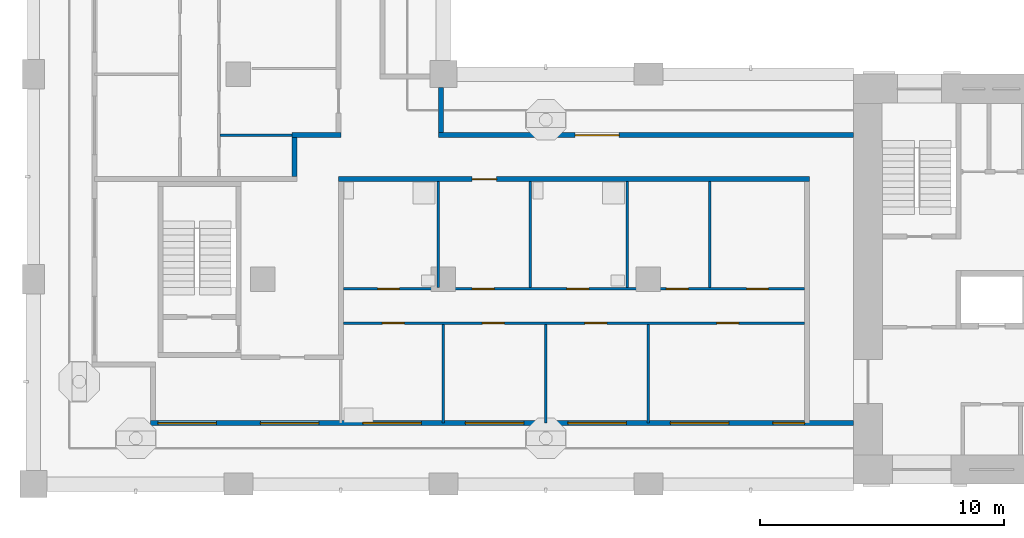
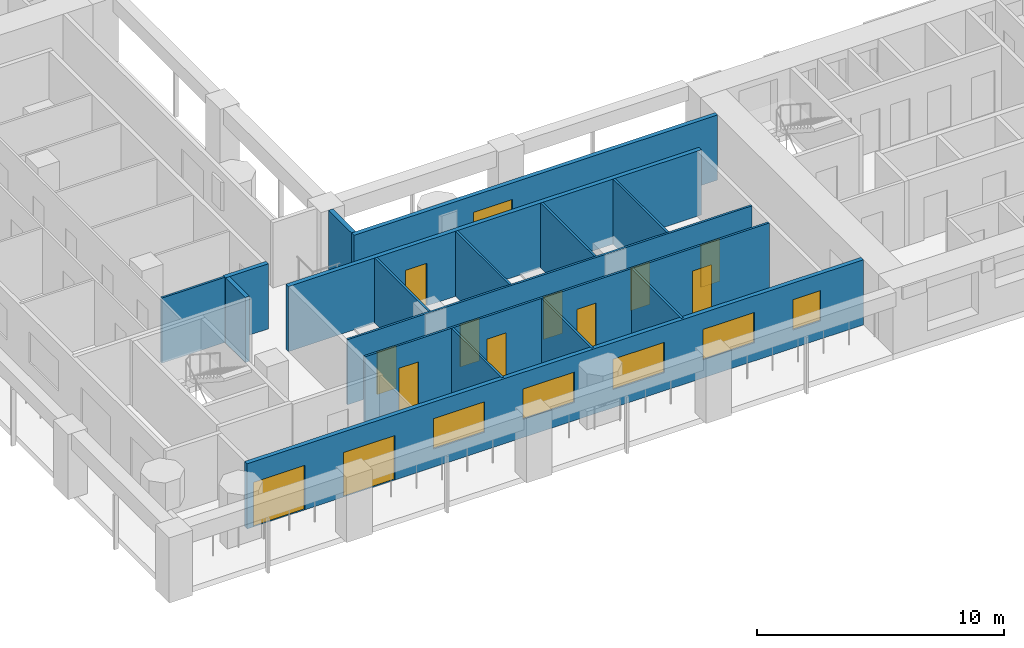
# One storey, part 2 of 13: 16 walls, 13 doors, 5 windows, 18 openings.
"""IFC4 building model written with IfcOpenShell, lengths in metres."""

import ifcopenshell
import ifcopenshell.guid

model = None  # the IFC model being written
_history = None  # IfcOwnerHistory: only IFC2X3 demands one
_inside = {}  # id of a spatial element -> (the spatial element, [elements in it])
_under = {}  # id of a project, library or spatial element -> (it, [spatial elements below it])
_declared = {}  # id of a project -> (the project, [libraries it declares])
_typed = {}  # id of a type object -> (the type object, [elements of that type])
_made_of = {}  # id of a material, layer set ... -> (it, [elements and type objects made of it])


def new_model(schema):
    """Start an empty IFC model of exactly this schema.

    Asked for "IFC4X3", IfcOpenShell would pick the latest addendum, in which some entities
    have other attributes; the version numbers below select the first issue.
    IFC2X3 requires an IfcOwnerHistory on every rooted entity: one is made here for all.
    """
    global model, _history
    if schema == "IFC4X3":
        model = ifcopenshell.file(schema_version=(4, 3, 0, 0))
    else:
        model = ifcopenshell.file(schema=schema)
    _inside.clear()
    _under.clear()
    _declared.clear()
    _typed.clear()
    _made_of.clear()
    _history = None
    if model.schema == "IFC2X3":
        org = make("IfcOrganization", Name="unknown")
        user = make(
            "IfcPersonAndOrganization",
            ThePerson=make("IfcPerson", FamilyName="unknown"),
            TheOrganization=org,
        )
        app = make(
            "IfcApplication",
            ApplicationDeveloper=org,
            Version="unknown",
            ApplicationFullName="unknown",
            ApplicationIdentifier="unknown",
        )
        _history = make(
            "IfcOwnerHistory",
            OwningUser=user,
            OwningApplication=app,
            ChangeAction="ADDED",
            CreationDate=0,
        )
    return model


def make(cls, **values):
    """One entity of the class cls with the attributes given. An attribute that is None is left unset."""
    return model.create_entity(
        cls, **{name: value for name, value in values.items() if value is not None}
    )


def rooted(cls, **values):
    """An entity with a GlobalId (a new one), such as an element, a storey or a relation."""
    return make(cls, GlobalId=ifcopenshell.guid.new(), OwnerHistory=_history, **values)


def si_unit(unit_type, name, prefix=None):
    """IfcSIUnit, for example si_unit("LENGTHUNIT", "METRE", prefix="MILLI")."""
    return make("IfcSIUnit", UnitType=unit_type, Prefix=prefix, Name=name)


def assignment(units):
    """IfcUnitAssignment: the units of a project."""
    return None if units is None else make("IfcUnitAssignment", Units=units)


def point(xyz):
    """IfcCartesianPoint."""
    return None if xyz is None else make("IfcCartesianPoint", Coordinates=xyz)


def direction(xyz):
    """IfcDirection."""
    return None if xyz is None else make("IfcDirection", DirectionRatios=xyz)


def frame(location, z_axis=None, x_axis=None):
    """IfcAxis2Placement3D, a coordinate frame: its origin and axes. An axis left out is left unset."""
    return make(
        "IfcAxis2Placement3D",
        Location=point(location),
        Axis=direction(z_axis),
        RefDirection=direction(x_axis),
    )


def frame_2d(location, x_axis=None):
    """IfcAxis2Placement2D, a coordinate frame in the plane: its origin and x axis."""
    return make(
        "IfcAxis2Placement2D", Location=point(location), RefDirection=direction(x_axis)
    )


def origin():
    """The frame at (0, 0, 0) with its axes left unset."""
    return frame((0.0, 0.0, 0.0))


def place(relative_to, where):
    """IfcLocalPlacement: puts the frame where relative to a parent placement (None: the world)."""
    return make(
        "IfcLocalPlacement", PlacementRelTo=relative_to, RelativePlacement=where
    )


def context(
    kind, dimensions, precision=None, world=None, true_north=None, identifier=None
):
    """IfcGeometricRepresentationContext, for example the 3D "Model" context."""
    return make(
        "IfcGeometricRepresentationContext",
        ContextIdentifier=identifier,
        ContextType=kind,
        CoordinateSpaceDimension=dimensions,
        Precision=precision,
        WorldCoordinateSystem=world,
        TrueNorth=true_north,
    )


def subcontext(parent, identifier, kind, view, scale=None):
    """IfcGeometricRepresentationSubContext, for example "Body" below "Model"."""
    return make(
        "IfcGeometricRepresentationSubContext",
        ContextIdentifier=identifier,
        ContextType=kind,
        ParentContext=parent,
        TargetScale=scale,
        TargetView=view,
    )


def project(units=None, contexts=None):
    """IfcProject with its units and contexts."""
    return rooted(
        "IfcProject",
        Name="project",
        RepresentationContexts=contexts,
        UnitsInContext=assignment(units),
    )


def spatial(cls, under=None, at=None, **own):
    """A site, building, storey or space (cls), placed at a placement, below another one or the project."""
    s = rooted(cls, ObjectPlacement=at, **own)
    if under is not None:
        _under.setdefault(under.id(), (under, []))[1].append(s)
    return s


def profile(cls, at=None, kind="AREA", **sizes):
    """A parametric profile (cls). Its sizes go by their IFC names, for example OverallWidth=200.0."""
    return make(cls, ProfileType=kind, Position=at, **sizes)


def rectangle(**sizes):
    """IfcRectangleProfileDef."""
    return profile("IfcRectangleProfileDef", **sizes)


def extrude(swept, where, along, depth):
    """IfcExtrudedAreaSolid: the profile swept, set in the frame where, extruded along a direction by depth."""
    return make(
        "IfcExtrudedAreaSolid",
        SweptArea=swept,
        Position=where,
        ExtrudedDirection=direction(along),
        Depth=depth,
    )


def shape(context_of_items, identifier, shape_type, items):
    """IfcShapeRepresentation: the items that make up one representation, for example the "Body"."""
    return make(
        "IfcShapeRepresentation",
        ContextOfItems=context_of_items,
        RepresentationIdentifier=identifier,
        RepresentationType=shape_type,
        Items=items,
    )


def material(Name=None, Category=None):
    """IfcMaterial."""
    return make("IfcMaterial", Name=Name, Category=Category)


def layer(
    of_material, thickness, ventilated=None, Name=None, Category=None, Priority=None
):
    """IfcMaterialLayer: one layer of a wall or slab, of a material (None: an air gap)."""
    return make(
        "IfcMaterialLayer",
        Material=of_material,
        LayerThickness=thickness,
        IsVentilated=ventilated,
        Name=Name,
        Category=Category,
        Priority=Priority,
    )


def layer_set(layers, Name=None):
    """IfcMaterialLayerSet."""
    return make("IfcMaterialLayerSet", MaterialLayers=layers, LayerSetName=Name)


def made_of(thing, what):
    """Note that an element or type object is made of a material, layer set ...; save() writes the relation."""
    if what is not None:
        _made_of.setdefault(what.id(), (what, []))[1].append(thing)
    return thing


def type_object(cls, material=None, **own):
    """A type object (cls), such as IfcWallType, which elements share."""
    return made_of(rooted(cls, **own), material)


def element(
    cls,
    number,
    at=None,
    inside=None,
    cuts=None,
    type_object=None,
    material=None,
    context=None,
    identifier="Body",
    shape_type=None,
    held_by="IfcProductDefinitionShape",
    body=None,
    shapes=None,
    **own,
):
    """One element of the class cls, such as IfcWall. Its Tag is "e" and its number.

    at: its placement. inside: the storey or other place that contains it. cuts: it is an
    opening in that element (IfcRelVoidsElement). A single representation is given by context,
    identifier, shape_type and body (its items); several are given by shapes. held_by: the class
    of the entity that holds the representations. save() writes the other relations.
    """
    e = rooted(cls, Tag="e%d" % number, ObjectPlacement=at, **own)
    if body is not None:
        shapes = [shape(context, identifier, shape_type, body)]
    if shapes is not None:
        e.Representation = make(held_by, Representations=shapes)
    if inside is not None:
        _inside.setdefault(inside.id(), (inside, []))[1].append(e)
    if cuts is not None:
        rooted(
            "IfcRelVoidsElement", RelatingBuildingElement=cuts, RelatedOpeningElement=e
        )
    if type_object is not None:
        _typed.setdefault(type_object.id(), (type_object, []))[1].append(e)
    return made_of(e, material)


def fill(opening, filler):
    """IfcRelFillsElement: the door or window that sits in an opening."""
    return rooted(
        "IfcRelFillsElement",
        RelatingOpeningElement=opening,
        RelatedBuildingElement=filler,
    )


def aggregate(whole, parts):
    """IfcRelAggregates: a whole, such as a stair, and the parts it consists of."""
    return rooted("IfcRelAggregates", RelatingObject=whole, RelatedObjects=parts)


def save(model, path):
    """Write the relations noted so far, then the file.

    IfcRelAggregates (storeys below a building ...), IfcRelContainedInSpatialStructure (elements
    in a storey), IfcRelDefinesByType, IfcRelAssociatesMaterial and IfcRelDeclares: one each for
    every whole, place, type object, material and project.
    """
    for whole, parts in _under.values():
        aggregate(whole, parts)
    for where, things in _inside.values():
        rooted(
            "IfcRelContainedInSpatialStructure",
            RelatedElements=things,
            RelatingStructure=where,
        )
    for kind, things in _typed.values():
        rooted("IfcRelDefinesByType", RelatedObjects=things, RelatingType=kind)
    for what, things in _made_of.values():
        rooted("IfcRelAssociatesMaterial", RelatedObjects=things, RelatingMaterial=what)
    for by, libraries in _declared.values():
        rooted("IfcRelDeclares", RelatingContext=by, RelatedDefinitions=libraries)
    model.write(path)


model = new_model("IFC4")

# Units and contexts
model_context = context("Model", 3, precision=1e-05, world=origin(), true_north=direction((0.0, 1.0)))
body_context = subcontext(model_context, "Body", "Model", "MODEL_VIEW")
ifc_project = project(units=[si_unit("LENGTHUNIT", "METRE"), si_unit("AREAUNIT", "SQUARE_METRE"), si_unit("VOLUMEUNIT", "CUBIC_METRE"), si_unit("PLANEANGLEUNIT", "RADIAN"), si_unit("MASSUNIT", "GRAM", prefix="KILO")], contexts=[model_context])

# Site, building, storey
site_placement = place(None, origin())
site = spatial("IfcSite", under=ifc_project, at=site_placement, CompositionType="ELEMENT")
building_placement = place(site_placement, origin())
building = spatial("IfcBuilding", under=site, at=building_placement, Name="Vermilion Gate Residences", CompositionType="ELEMENT")
storey_placement = place(building_placement, frame((0.0, 0.0, 165.199951171875)))
storey = spatial("IfcBuildingStorey", under=building, at=storey_placement, Name="L42", CompositionType="ELEMENT", Elevation=165.199951171875)

# Wall, openings, doors, windows
ifc_material_1 = material(Name="Insulated steel stud wall with terracotta rainscreen", Category="masonry")
ifc_layer_1 = layer(ifc_material_1, 0.199951171875)
ifc_layer_set_1 = layer_set([ifc_layer_1], Name="EXTERNAL WALL 200 TERRACOTTA RAINSCREEN")
wall_type_1 = type_object("IfcWallType", Name="EXTERNAL WALL 200 TERRACOTTA RAINSCREEN", PredefinedType="SOLIDWALL", material=ifc_layer_set_1)
wall_1_placement = place(storey_placement, frame((13.199951171875, 10.89990234375, 0.0), z_axis=(0.0, 0.0, 1.0), x_axis=(1.0, 0.0, 0.0)))
wall_1 = element("IfcWall", 1, at=wall_1_placement, inside=storey, type_object=wall_type_1, Name="External wall", PredefinedType="SOLIDWALL", context=body_context, shape_type="SweptSolid", body=[
    extrude(rectangle(XDim=28.800048828125, YDim=0.199951171875, at=frame_2d((14.39990234375, 0.0))), origin(), (0.0, 0.0, 1.0), 3.219970703125),
])
opening_1_placement = place(wall_1_placement, frame((0.300048828125, 0.0, 0.0)))
opening_1 = element("IfcOpeningElement", 2, at=opening_1_placement, cuts=wall_1, Name="Opening DE42008", PredefinedType="OPENING", context=body_context, shape_type="SweptSolid", body=[
    extrude(rectangle(XDim=2.39990234375, YDim=2.199951171875, at=frame_2d((1.199951171875, 1.10009765625))), frame((0.0, 0.10986328125, 0.0), z_axis=(0.0, -1.0, 0.0), x_axis=(1.0, 0.0, 0.0)), (0.0, 0.0, 1.0), 0.219970703125),
])
opening_2_placement = place(wall_1_placement, frame((4.5, 0.0, 0.0)))
opening_2 = element("IfcOpeningElement", 3, at=opening_2_placement, cuts=wall_1, Name="Opening DE42009", PredefinedType="OPENING", context=body_context, shape_type="SweptSolid", body=[
    extrude(rectangle(XDim=2.39990234375, YDim=2.199951171875, at=frame_2d((1.199951171875, 1.10009765625))), frame((0.0, 0.10986328125, 0.0), z_axis=(0.0, -1.0, 0.0), x_axis=(1.0, 0.0, 0.0)), (0.0, 0.0, 1.0), 0.219970703125),
])
opening_3_placement = place(wall_1_placement, frame((8.699951171875, 0.0, 0.89990234375)))
opening_3 = element("IfcOpeningElement", 4, at=opening_3_placement, cuts=wall_1, Name="Opening WE42010", PredefinedType="OPENING", context=body_context, shape_type="SweptSolid", body=[
    extrude(rectangle(XDim=2.39990234375, YDim=1.5, at=frame_2d((1.199951171875, 0.75))), frame((0.0, 0.10986328125, 0.0), z_axis=(0.0, -1.0, 0.0), x_axis=(1.0, 0.0, 0.0)), (0.0, 0.0, 1.0), 0.219970703125),
])
opening_4_placement = place(wall_1_placement, frame((12.89990234375, 0.0, 0.89990234375)))
opening_4 = element("IfcOpeningElement", 5, at=opening_4_placement, cuts=wall_1, Name="Opening WE42011", PredefinedType="OPENING", context=body_context, shape_type="SweptSolid", body=[
    extrude(rectangle(XDim=2.39990234375, YDim=1.5, at=frame_2d((1.199951171875, 0.75))), frame((0.0, 0.10986328125, 0.0), z_axis=(0.0, -1.0, 0.0), x_axis=(1.0, 0.0, 0.0)), (0.0, 0.0, 1.0), 0.219970703125),
])
opening_5_placement = place(wall_1_placement, frame((17.10009765625, 0.0, 0.89990234375)))
opening_5 = element("IfcOpeningElement", 6, at=opening_5_placement, cuts=wall_1, Name="Opening WE42012", PredefinedType="OPENING", context=body_context, shape_type="SweptSolid", body=[
    extrude(rectangle(XDim=2.39990234375, YDim=1.5, at=frame_2d((1.199951171875, 0.75))), frame((0.0, 0.10986328125, 0.0), z_axis=(0.0, -1.0, 0.0), x_axis=(1.0, 0.0, 0.0)), (0.0, 0.0, 1.0), 0.219970703125),
])
opening_6_placement = place(wall_1_placement, frame((21.300048828125, 0.0, 0.89990234375)))
opening_6 = element("IfcOpeningElement", 7, at=opening_6_placement, cuts=wall_1, Name="Opening WE42013", PredefinedType="OPENING", context=body_context, shape_type="SweptSolid", body=[
    extrude(rectangle(XDim=2.39990234375, YDim=1.5, at=frame_2d((1.199951171875, 0.75))), frame((0.0, 0.10986328125, 0.0), z_axis=(0.0, -1.0, 0.0), x_axis=(1.0, 0.0, 0.0)), (0.0, 0.0, 1.0), 0.219970703125),
])
opening_7_placement = place(wall_1_placement, frame((25.5, 0.0, 0.89990234375)))
opening_7 = element("IfcOpeningElement", 8, at=opening_7_placement, cuts=wall_1, Name="Opening WE42014", PredefinedType="OPENING", context=body_context, shape_type="SweptSolid", body=[
    extrude(rectangle(XDim=1.300048828125, YDim=1.5, at=frame_2d((0.64990234375, 0.75))), frame((0.0, 0.10986328125, 0.0), z_axis=(0.0, -1.0, 0.0), x_axis=(1.0, 0.0, 0.0)), (0.0, 0.0, 1.0), 0.219970703125),
])
ifc_material_2 = material(Name="Aluminium and clear glass", Category="aluminium")
door_type_1 = type_object("IfcDoorType", Name="SLIDING GLAZED DOOR 2400 X 2200", OperationType="DOUBLE_DOOR_SLIDING", PredefinedType="DOOR", material=ifc_material_2)
door_1_placement = place(opening_1_placement, origin())
door_1 = element("IfcDoor", 9, at=door_1_placement, inside=storey, type_object=door_type_1, Name="Loggia sliding door", OperationType="DOUBLE_DOOR_SLIDING", OverallHeight=2.199951171875, OverallWidth=2.39990234375, PredefinedType="DOOR", context=body_context, shape_type="SweptSolid", body=[
    extrude(rectangle(XDim=2.39990234375, YDim=2.199951171875, at=frame_2d((1.199951171875, 1.10009765625))), frame((0.0, 0.02490234375, 0.0), z_axis=(0.0, -1.0, 0.0), x_axis=(1.0, 0.0, 0.0)), (0.0, 0.0, 1.0), 0.050048828125),
])
fill(opening_1, door_1)
door_2_placement = place(opening_2_placement, origin())
door_2 = element("IfcDoor", 10, at=door_2_placement, inside=storey, type_object=door_type_1, Name="Loggia sliding door", OperationType="DOUBLE_DOOR_SLIDING", OverallHeight=2.199951171875, OverallWidth=2.39990234375, PredefinedType="DOOR", context=body_context, shape_type="SweptSolid", body=[
    extrude(rectangle(XDim=2.39990234375, YDim=2.199951171875, at=frame_2d((1.199951171875, 1.10009765625))), frame((0.0, 0.02490234375, 0.0), z_axis=(0.0, -1.0, 0.0), x_axis=(1.0, 0.0, 0.0)), (0.0, 0.0, 1.0), 0.050048828125),
])
fill(opening_2, door_2)
ifc_material_3 = material(Name="Aluminium and clear glass", Category="aluminium")
window_type_1 = type_object("IfcWindowType", Name="WINDOW 1300 X 1500", PartitioningType="SINGLE_PANEL", PredefinedType="WINDOW", material=ifc_material_3)
window_1_placement = place(opening_7_placement, origin())
window_1 = element("IfcWindow", 11, at=window_1_placement, inside=storey, type_object=window_type_1, Name="Window", OverallHeight=1.5, OverallWidth=1.300048828125, PartitioningType="SINGLE_PANEL", PredefinedType="WINDOW", context=body_context, shape_type="SweptSolid", body=[
    extrude(rectangle(XDim=1.300048828125, YDim=1.5, at=frame_2d((0.64990234375, 0.75))), frame((0.0, 0.030029296875, 0.0), z_axis=(0.0, -1.0, 0.0), x_axis=(1.0, 0.0, 0.0)), (0.0, 0.0, 1.0), 0.06005859375),
])
fill(opening_7, window_1)
ifc_material_4 = material(Name="Aluminium and clear glass", Category="aluminium")
window_type_2 = type_object("IfcWindowType", Name="WINDOW 2400 X 1500", PartitioningType="SINGLE_PANEL", PredefinedType="WINDOW", material=ifc_material_4)
window_2_placement = place(opening_3_placement, origin())
window_2 = element("IfcWindow", 12, at=window_2_placement, inside=storey, type_object=window_type_2, Name="Window", OverallHeight=1.5, OverallWidth=2.39990234375, PartitioningType="SINGLE_PANEL", PredefinedType="WINDOW", context=body_context, shape_type="SweptSolid", body=[
    extrude(rectangle(XDim=2.39990234375, YDim=1.5, at=frame_2d((1.199951171875, 0.75))), frame((0.0, 0.030029296875, 0.0), z_axis=(0.0, -1.0, 0.0), x_axis=(1.0, 0.0, 0.0)), (0.0, 0.0, 1.0), 0.06005859375),
])
fill(opening_3, window_2)
window_3_placement = place(opening_4_placement, origin())
window_3 = element("IfcWindow", 13, at=window_3_placement, inside=storey, type_object=window_type_2, Name="Window", OverallHeight=1.5, OverallWidth=2.39990234375, PartitioningType="SINGLE_PANEL", PredefinedType="WINDOW", context=body_context, shape_type="SweptSolid", body=[
    extrude(rectangle(XDim=2.39990234375, YDim=1.5, at=frame_2d((1.199951171875, 0.75))), frame((0.0, 0.030029296875, 0.0), z_axis=(0.0, -1.0, 0.0), x_axis=(1.0, 0.0, 0.0)), (0.0, 0.0, 1.0), 0.06005859375),
])
fill(opening_4, window_3)
window_4_placement = place(opening_5_placement, origin())
window_4 = element("IfcWindow", 14, at=window_4_placement, inside=storey, type_object=window_type_2, Name="Window", OverallHeight=1.5, OverallWidth=2.39990234375, PartitioningType="SINGLE_PANEL", PredefinedType="WINDOW", context=body_context, shape_type="SweptSolid", body=[
    extrude(rectangle(XDim=2.39990234375, YDim=1.5, at=frame_2d((1.199951171875, 0.75))), frame((0.0, 0.030029296875, 0.0), z_axis=(0.0, -1.0, 0.0), x_axis=(1.0, 0.0, 0.0)), (0.0, 0.0, 1.0), 0.06005859375),
])
fill(opening_5, window_4)
window_5_placement = place(opening_6_placement, origin())
window_5 = element("IfcWindow", 15, at=window_5_placement, inside=storey, type_object=window_type_2, Name="Window", OverallHeight=1.5, OverallWidth=2.39990234375, PartitioningType="SINGLE_PANEL", PredefinedType="WINDOW", context=body_context, shape_type="SweptSolid", body=[
    extrude(rectangle(XDim=2.39990234375, YDim=1.5, at=frame_2d((1.199951171875, 0.75))), frame((0.0, 0.030029296875, 0.0), z_axis=(0.0, -1.0, 0.0), x_axis=(1.0, 0.0, 0.0)), (0.0, 0.0, 1.0), 0.06005859375),
])
fill(opening_6, window_5)

# Wall, opening, door
wall_2_placement = place(storey_placement, frame((42.0, 22.699951171875, 0.0), z_axis=(0.0, 0.0, 1.0), x_axis=(-1.0, 0.0, 0.0)))
wall_2 = element("IfcWall", 16, at=wall_2_placement, inside=storey, type_object=wall_type_1, Name="External wall", PredefinedType="SOLIDWALL", context=body_context, shape_type="SweptSolid", body=[
    extrude(rectangle(XDim=17.0, YDim=0.199951171875, at=frame_2d((8.5, 0.0))), origin(), (0.0, 0.0, 1.0), 3.219970703125),
])
opening_8_placement = place(wall_2_placement, frame((9.60009765625, 0.0, 0.0)))
opening_8 = element("IfcOpeningElement", 17, at=opening_8_placement, cuts=wall_2, Name="Opening DE42020", PredefinedType="OPENING", context=body_context, shape_type="SweptSolid", body=[
    extrude(rectangle(XDim=1.800048828125, YDim=2.39990234375, at=frame_2d((0.89990234375, 1.199951171875))), frame((0.0, 0.10986328125, 0.0), z_axis=(0.0, -1.0, 0.0), x_axis=(1.0, 0.0, 0.0)), (0.0, 0.0, 1.0), 0.219970703125),
])
ifc_material_5 = material(Name="Aluminium and clear glass", Category="aluminium")
door_type_2 = type_object("IfcDoorType", Name="GLAZED EXTERNAL DOOR 1800 X 2400", OperationType="DOUBLE_DOOR_SINGLE_SWING", PredefinedType="DOOR", material=ifc_material_5)
door_3_placement = place(opening_8_placement, frame((1.800048828125, 0.0, 0.0), z_axis=(0.0, 0.0, 1.0), x_axis=(-1.0, 0.0, 0.0)))
door_3 = element("IfcDoor", 18, at=door_3_placement, inside=storey, type_object=door_type_2, Name="Gallery door", OperationType="DOUBLE_DOOR_SINGLE_SWING", OverallHeight=2.39990234375, OverallWidth=1.800048828125, PredefinedType="DOOR", context=body_context, shape_type="SweptSolid", body=[
    extrude(rectangle(XDim=1.800048828125, YDim=2.39990234375, at=frame_2d((0.89990234375, 1.199951171875))), frame((0.0, 0.02490234375, 0.0), z_axis=(0.0, -1.0, 0.0), x_axis=(1.0, 0.0, 0.0)), (0.0, 0.0, 1.0), 0.050048828125),
])
fill(opening_8, door_3)

# Wall
wall_3_placement = place(storey_placement, frame((25.10009765625, 22.800048828125, 0.0), z_axis=(0.0, 0.0, 1.0), x_axis=(0.0, 1.0, 0.0)))
element("IfcWall", 19, at=wall_3_placement, inside=storey, type_object=wall_type_1, Name="External wall", PredefinedType="SOLIDWALL", context=body_context, shape_type="SweptSolid", body=[
    extrude(rectangle(XDim=1.849853515625, YDim=0.199951171875, at=frame_2d((0.9248046875, 0.0))), origin(), (0.0, 0.0, 1.0), 3.219970703125),
])

# Wall, openings, doors
ifc_material_6 = material(Name="Plasterboard on steel studs", Category="steel")
ifc_layer_2 = layer(ifc_material_6, 0.10009765625)
ifc_layer_set_2 = layer_set([ifc_layer_2], Name="PARTITION 100")
wall_type_2 = type_object("IfcWallType", Name="PARTITION 100", PredefinedType="PARTITIONING", material=ifc_layer_set_2)
wall_4_placement = place(storey_placement, frame((21.10009765625, 15.0, 0.0), z_axis=(0.0, 0.0, 1.0), x_axis=(1.0, 0.0, 0.0)))
wall_4 = element("IfcWall", 20, at=wall_4_placement, inside=storey, type_object=wall_type_2, Name="Partition", PredefinedType="PARTITIONING", context=body_context, shape_type="SweptSolid", body=[
    extrude(rectangle(XDim=18.89990234375, YDim=0.10009765625, at=frame_2d((9.449951171875, 0.0))), origin(), (0.0, 0.0, 1.0), 3.219970703125),
])
opening_9_placement = place(wall_4_placement, frame((1.60009765625, 0.0, 0.0)))
opening_9 = element("IfcOpeningElement", 21, at=opening_9_placement, cuts=wall_4, Name="Opening DA40002", PredefinedType="OPENING", context=body_context, shape_type="SweptSolid", body=[
    extrude(rectangle(XDim=0.89990234375, YDim=2.10009765625, at=frame_2d((0.449951171875, 1.050048828125))), frame((0.0, 0.06005859375, 0.0), z_axis=(0.0, -1.0, 0.0), x_axis=(1.0, 0.0, 0.0)), (0.0, 0.0, 1.0), 0.1201171875),
])
opening_10_placement = place(wall_4_placement, frame((5.699951171875, 0.0, 0.0)))
opening_10 = element("IfcOpeningElement", 22, at=opening_10_placement, cuts=wall_4, Name="Opening DA40003", PredefinedType="OPENING", context=body_context, shape_type="SweptSolid", body=[
    extrude(rectangle(XDim=0.89990234375, YDim=2.10009765625, at=frame_2d((0.449951171875, 1.050048828125))), frame((0.0, 0.06005859375, 0.0), z_axis=(0.0, -1.0, 0.0), x_axis=(1.0, 0.0, 0.0)), (0.0, 0.0, 1.0), 0.1201171875),
])
opening_11_placement = place(wall_4_placement, frame((9.89990234375, 0.0, 0.0)))
opening_11 = element("IfcOpeningElement", 23, at=opening_11_placement, cuts=wall_4, Name="Opening DA40004", PredefinedType="OPENING", context=body_context, shape_type="SweptSolid", body=[
    extrude(rectangle(XDim=0.89990234375, YDim=2.10009765625, at=frame_2d((0.449951171875, 1.050048828125))), frame((0.0, 0.06005859375, 0.0), z_axis=(0.0, -1.0, 0.0), x_axis=(1.0, 0.0, 0.0)), (0.0, 0.0, 1.0), 0.1201171875),
])
opening_12_placement = place(wall_4_placement, frame((15.300048828125, 0.0, 0.0)))
opening_12 = element("IfcOpeningElement", 24, at=opening_12_placement, cuts=wall_4, Name="Opening DA40005", PredefinedType="OPENING", context=body_context, shape_type="SweptSolid", body=[
    extrude(rectangle(XDim=0.89990234375, YDim=2.10009765625, at=frame_2d((0.449951171875, 1.050048828125))), frame((0.0, 0.06005859375, 0.0), z_axis=(0.0, -1.0, 0.0), x_axis=(1.0, 0.0, 0.0)), (0.0, 0.0, 1.0), 0.1201171875),
])
ifc_material_7 = material(Name="Timber", Category="wood")
door_type_3 = type_object("IfcDoorType", Name="INTERIOR DOOR 900 X 2100", OperationType="SINGLE_SWING_LEFT", PredefinedType="DOOR", material=ifc_material_7)
door_4_placement = place(opening_9_placement, frame((0.89990234375, 0.0, 0.0), z_axis=(0.0, 0.0, 1.0), x_axis=(-1.0, 0.0, 0.0)))
door_4 = element("IfcDoor", 25, at=door_4_placement, inside=storey, type_object=door_type_3, Name="Interior door", OperationType="SINGLE_SWING_LEFT", OverallHeight=2.10009765625, OverallWidth=0.89990234375, PredefinedType="DOOR", context=body_context, shape_type="SweptSolid", body=[
    extrude(rectangle(XDim=0.89990234375, YDim=2.10009765625, at=frame_2d((0.449951171875, 1.050048828125))), frame((0.0, 0.02490234375, 0.0), z_axis=(0.0, -1.0, 0.0), x_axis=(1.0, 0.0, 0.0)), (0.0, 0.0, 1.0), 0.050048828125),
])
fill(opening_9, door_4)
door_5_placement = place(opening_10_placement, frame((0.89990234375, 0.0, 0.0), z_axis=(0.0, 0.0, 1.0), x_axis=(-1.0, 0.0, 0.0)))
door_5 = element("IfcDoor", 26, at=door_5_placement, inside=storey, type_object=door_type_3, Name="Interior door", OperationType="SINGLE_SWING_RIGHT", OverallHeight=2.10009765625, OverallWidth=0.89990234375, PredefinedType="DOOR", context=body_context, shape_type="SweptSolid", body=[
    extrude(rectangle(XDim=0.89990234375, YDim=2.10009765625, at=frame_2d((0.449951171875, 1.050048828125))), frame((0.0, 0.02490234375, 0.0), z_axis=(0.0, -1.0, 0.0), x_axis=(1.0, 0.0, 0.0)), (0.0, 0.0, 1.0), 0.050048828125),
])
fill(opening_10, door_5)
door_6_placement = place(opening_11_placement, frame((0.89990234375, 0.0, 0.0), z_axis=(0.0, 0.0, 1.0), x_axis=(-1.0, 0.0, 0.0)))
door_6 = element("IfcDoor", 27, at=door_6_placement, inside=storey, type_object=door_type_3, Name="Interior door", OperationType="SINGLE_SWING_RIGHT", OverallHeight=2.10009765625, OverallWidth=0.89990234375, PredefinedType="DOOR", context=body_context, shape_type="SweptSolid", body=[
    extrude(rectangle(XDim=0.89990234375, YDim=2.10009765625, at=frame_2d((0.449951171875, 1.050048828125))), frame((0.0, 0.02490234375, 0.0), z_axis=(0.0, -1.0, 0.0), x_axis=(1.0, 0.0, 0.0)), (0.0, 0.0, 1.0), 0.050048828125),
])
fill(opening_11, door_6)
door_7_placement = place(opening_12_placement, frame((0.89990234375, 0.0, 0.0), z_axis=(0.0, 0.0, 1.0), x_axis=(-1.0, 0.0, 0.0)))
door_7 = element("IfcDoor", 28, at=door_7_placement, inside=storey, type_object=door_type_3, Name="Interior door", OperationType="SINGLE_SWING_LEFT", OverallHeight=2.10009765625, OverallWidth=0.89990234375, PredefinedType="DOOR", context=body_context, shape_type="SweptSolid", body=[
    extrude(rectangle(XDim=0.89990234375, YDim=2.10009765625, at=frame_2d((0.449951171875, 1.050048828125))), frame((0.0, 0.02490234375, 0.0), z_axis=(0.0, -1.0, 0.0), x_axis=(1.0, 0.0, 0.0)), (0.0, 0.0, 1.0), 0.050048828125),
])
fill(opening_12, door_7)

wall_5_placement = place(storey_placement, frame((21.10009765625, 16.39990234375, 0.0), z_axis=(0.0, 0.0, 1.0), x_axis=(1.0, 0.0, 0.0)))
wall_5 = element("IfcWall", 29, at=wall_5_placement, inside=storey, type_object=wall_type_2, Name="Partition", PredefinedType="PARTITIONING", context=body_context, shape_type="SweptSolid", body=[
    extrude(rectangle(XDim=18.89990234375, YDim=0.10009765625, at=frame_2d((9.449951171875, 0.0))), origin(), (0.0, 0.0, 1.0), 3.219970703125),
])
opening_13_placement = place(wall_5_placement, frame((5.280029296875, 0.0, 0.0)))
opening_13 = element("IfcOpeningElement", 30, at=opening_13_placement, cuts=wall_5, Name="Opening DA40006", PredefinedType="OPENING", context=body_context, shape_type="SweptSolid", body=[
    extrude(rectangle(XDim=0.89990234375, YDim=2.10009765625, at=frame_2d((0.449951171875, 1.050048828125))), frame((0.0, 0.06005859375, 0.0), z_axis=(0.0, -1.0, 0.0), x_axis=(1.0, 0.0, 0.0)), (0.0, 0.0, 1.0), 0.1201171875),
])
opening_14_placement = place(wall_5_placement, frame((1.39990234375, 0.0, 0.0)))
opening_14 = element("IfcOpeningElement", 31, at=opening_14_placement, cuts=wall_5, Name="Opening DA40007", PredefinedType="OPENING", context=body_context, shape_type="SweptSolid", body=[
    extrude(rectangle(XDim=0.89990234375, YDim=2.10009765625, at=frame_2d((0.449951171875, 1.050048828125))), frame((0.0, 0.06005859375, 0.0), z_axis=(0.0, -1.0, 0.0), x_axis=(1.0, 0.0, 0.0)), (0.0, 0.0, 1.0), 0.1201171875),
])
opening_15_placement = place(wall_5_placement, frame((9.159912109375, 0.0, 0.0)))
opening_15 = element("IfcOpeningElement", 32, at=opening_15_placement, cuts=wall_5, Name="Opening DA40008", PredefinedType="OPENING", context=body_context, shape_type="SweptSolid", body=[
    extrude(rectangle(XDim=0.89990234375, YDim=2.10009765625, at=frame_2d((0.449951171875, 1.050048828125))), frame((0.0, 0.06005859375, 0.0), z_axis=(0.0, -1.0, 0.0), x_axis=(1.0, 0.0, 0.0)), (0.0, 0.0, 1.0), 0.1201171875),
])
opening_16_placement = place(wall_5_placement, frame((13.239990234375, 0.0, 0.0)))
opening_16 = element("IfcOpeningElement", 33, at=opening_16_placement, cuts=wall_5, Name="Opening DA40009", PredefinedType="OPENING", context=body_context, shape_type="SweptSolid", body=[
    extrude(rectangle(XDim=0.89990234375, YDim=2.10009765625, at=frame_2d((0.449951171875, 1.050048828125))), frame((0.0, 0.06005859375, 0.0), z_axis=(0.0, -1.0, 0.0), x_axis=(1.0, 0.0, 0.0)), (0.0, 0.0, 1.0), 0.1201171875),
])
opening_17_placement = place(wall_5_placement, frame((16.52001953125, 0.0, 0.0)))
opening_17 = element("IfcOpeningElement", 34, at=opening_17_placement, cuts=wall_5, Name="Opening DA40010", PredefinedType="OPENING", context=body_context, shape_type="SweptSolid", body=[
    extrude(rectangle(XDim=0.89990234375, YDim=2.10009765625, at=frame_2d((0.449951171875, 1.050048828125))), frame((0.0, 0.06005859375, 0.0), z_axis=(0.0, -1.0, 0.0), x_axis=(1.0, 0.0, 0.0)), (0.0, 0.0, 1.0), 0.1201171875),
])
door_8_placement = place(opening_13_placement, origin())
door_8 = element("IfcDoor", 35, at=door_8_placement, inside=storey, type_object=door_type_3, Name="Interior door", OperationType="SINGLE_SWING_LEFT", OverallHeight=2.10009765625, OverallWidth=0.89990234375, PredefinedType="DOOR", context=body_context, shape_type="SweptSolid", body=[
    extrude(rectangle(XDim=0.89990234375, YDim=2.10009765625, at=frame_2d((0.449951171875, 1.050048828125))), frame((0.0, 0.02490234375, 0.0), z_axis=(0.0, -1.0, 0.0), x_axis=(1.0, 0.0, 0.0)), (0.0, 0.0, 1.0), 0.050048828125),
])
fill(opening_13, door_8)
door_9_placement = place(opening_14_placement, origin())
door_9 = element("IfcDoor", 36, at=door_9_placement, inside=storey, type_object=door_type_3, Name="Interior door", OperationType="SINGLE_SWING_RIGHT", OverallHeight=2.10009765625, OverallWidth=0.89990234375, PredefinedType="DOOR", context=body_context, shape_type="SweptSolid", body=[
    extrude(rectangle(XDim=0.89990234375, YDim=2.10009765625, at=frame_2d((0.449951171875, 1.050048828125))), frame((0.0, 0.02490234375, 0.0), z_axis=(0.0, -1.0, 0.0), x_axis=(1.0, 0.0, 0.0)), (0.0, 0.0, 1.0), 0.050048828125),
])
fill(opening_14, door_9)
door_10_placement = place(opening_15_placement, origin())
door_10 = element("IfcDoor", 37, at=door_10_placement, inside=storey, type_object=door_type_3, Name="Interior door", OperationType="SINGLE_SWING_RIGHT", OverallHeight=2.10009765625, OverallWidth=0.89990234375, PredefinedType="DOOR", context=body_context, shape_type="SweptSolid", body=[
    extrude(rectangle(XDim=0.89990234375, YDim=2.10009765625, at=frame_2d((0.449951171875, 1.050048828125))), frame((0.0, 0.02490234375, 0.0), z_axis=(0.0, -1.0, 0.0), x_axis=(1.0, 0.0, 0.0)), (0.0, 0.0, 1.0), 0.050048828125),
])
fill(opening_15, door_10)
door_11_placement = place(opening_16_placement, origin())
door_11 = element("IfcDoor", 38, at=door_11_placement, inside=storey, type_object=door_type_3, Name="Interior door", OperationType="SINGLE_SWING_LEFT", OverallHeight=2.10009765625, OverallWidth=0.89990234375, PredefinedType="DOOR", context=body_context, shape_type="SweptSolid", body=[
    extrude(rectangle(XDim=0.89990234375, YDim=2.10009765625, at=frame_2d((0.449951171875, 1.050048828125))), frame((0.0, 0.02490234375, 0.0), z_axis=(0.0, -1.0, 0.0), x_axis=(1.0, 0.0, 0.0)), (0.0, 0.0, 1.0), 0.050048828125),
])
fill(opening_16, door_11)
door_12_placement = place(opening_17_placement, origin())
door_12 = element("IfcDoor", 39, at=door_12_placement, inside=storey, type_object=door_type_3, Name="Interior door", OperationType="SINGLE_SWING_LEFT", OverallHeight=2.10009765625, OverallWidth=0.89990234375, PredefinedType="DOOR", context=body_context, shape_type="SweptSolid", body=[
    extrude(rectangle(XDim=0.89990234375, YDim=2.10009765625, at=frame_2d((0.449951171875, 1.050048828125))), frame((0.0, 0.02490234375, 0.0), z_axis=(0.0, -1.0, 0.0), x_axis=(1.0, 0.0, 0.0)), (0.0, 0.0, 1.0), 0.050048828125),
])
fill(opening_17, door_12)

# Walls
wall_6_placement = place(storey_placement, frame((16.050048828125, 22.699951171875, 0.0), z_axis=(0.0, 0.0, 1.0), x_axis=(1.0, 0.0, 0.0)))
element("IfcWall", 40, at=wall_6_placement, inside=storey, type_object=wall_type_2, Name="Partition", PredefinedType="PARTITIONING", context=body_context, shape_type="SweptSolid", body=[
    extrude(rectangle(XDim=2.949951171875, YDim=0.10009765625, at=frame_2d((1.47509765625, 0.0))), origin(), (0.0, 0.0, 1.0), 3.219970703125),
])
wall_7_placement = place(storey_placement, frame((24.97998046875, 16.449951171875, 0.0), z_axis=(0.0, 0.0, 1.0), x_axis=(0.0, 1.0, 0.0)))
element("IfcWall", 41, at=wall_7_placement, inside=storey, type_object=wall_type_2, Name="Partition", PredefinedType="PARTITIONING", context=body_context, shape_type="SweptSolid", body=[
    extrude(rectangle(XDim=4.35009765625, YDim=0.10009765625, at=frame_2d((2.175048828125, 0.0))), origin(), (0.0, 0.0, 1.0), 3.219970703125),
])
wall_8_placement = place(storey_placement, frame((25.199951171875, 10.89990234375, 0.0), z_axis=(0.0, 0.0, 1.0), x_axis=(0.0, 1.0, 0.0)))
element("IfcWall", 42, at=wall_8_placement, inside=storey, type_object=wall_type_2, Name="Partition", PredefinedType="PARTITIONING", context=body_context, shape_type="SweptSolid", body=[
    extrude(rectangle(XDim=4.050048828125, YDim=0.10009765625, at=frame_2d((2.02490234375, 0.0))), origin(), (0.0, 0.0, 1.0), 3.219970703125),
])
wall_9_placement = place(storey_placement, frame((28.760009765625, 16.449951171875, 0.0), z_axis=(0.0, 0.0, 1.0), x_axis=(0.0, 1.0, 0.0)))
element("IfcWall", 43, at=wall_9_placement, inside=storey, type_object=wall_type_2, Name="Partition", PredefinedType="PARTITIONING", context=body_context, shape_type="SweptSolid", body=[
    extrude(rectangle(XDim=4.35009765625, YDim=0.10009765625, at=frame_2d((2.175048828125, 0.0))), origin(), (0.0, 0.0, 1.0), 3.219970703125),
])
wall_10_placement = place(storey_placement, frame((29.39990234375, 10.89990234375, 0.0), z_axis=(0.0, 0.0, 1.0), x_axis=(0.0, 1.0, 0.0)))
element("IfcWall", 44, at=wall_10_placement, inside=storey, type_object=wall_type_2, Name="Partition", PredefinedType="PARTITIONING", context=body_context, shape_type="SweptSolid", body=[
    extrude(rectangle(XDim=4.050048828125, YDim=0.10009765625, at=frame_2d((2.02490234375, 0.0))), origin(), (0.0, 0.0, 1.0), 3.219970703125),
])
wall_11_placement = place(storey_placement, frame((32.739990234375, 16.449951171875, 0.0), z_axis=(0.0, 0.0, 1.0), x_axis=(0.0, 1.0, 0.0)))
element("IfcWall", 45, at=wall_11_placement, inside=storey, type_object=wall_type_2, Name="Partition", PredefinedType="PARTITIONING", context=body_context, shape_type="SweptSolid", body=[
    extrude(rectangle(XDim=4.35009765625, YDim=0.10009765625, at=frame_2d((2.175048828125, 0.0))), origin(), (0.0, 0.0, 1.0), 3.219970703125),
])
wall_12_placement = place(storey_placement, frame((33.60009765625, 10.89990234375, 0.0), z_axis=(0.0, 0.0, 1.0), x_axis=(0.0, 1.0, 0.0)))
element("IfcWall", 46, at=wall_12_placement, inside=storey, type_object=wall_type_2, Name="Partition", PredefinedType="PARTITIONING", context=body_context, shape_type="SweptSolid", body=[
    extrude(rectangle(XDim=4.050048828125, YDim=0.10009765625, at=frame_2d((2.02490234375, 0.0))), origin(), (0.0, 0.0, 1.0), 3.219970703125),
])
wall_13_placement = place(storey_placement, frame((36.1201171875, 16.449951171875, 0.0), z_axis=(0.0, 0.0, 1.0), x_axis=(0.0, 1.0, 0.0)))
element("IfcWall", 47, at=wall_13_placement, inside=storey, type_object=wall_type_2, Name="Partition", PredefinedType="PARTITIONING", context=body_context, shape_type="SweptSolid", body=[
    extrude(rectangle(XDim=4.35009765625, YDim=0.10009765625, at=frame_2d((2.175048828125, 0.0))), origin(), (0.0, 0.0, 1.0), 3.219970703125),
])

# Wall, opening, door
ifc_material_8 = material(Name="Fire-rated plasterboard on steel studs", Category="steel")
ifc_layer_3 = layer(ifc_material_8, 0.199951171875)
ifc_layer_set_3 = layer_set([ifc_layer_3], Name="PARTY WALL 200 EI 120")
wall_type_3 = type_object("IfcWallType", Name="PARTY WALL 200 EI 120", PredefinedType="PARTITIONING", material=ifc_layer_set_3)
wall_14_placement = place(storey_placement, frame((20.89990234375, 20.89990234375, 0.0), z_axis=(0.0, 0.0, 1.0), x_axis=(1.0, 0.0, 0.0)))
wall_14 = element("IfcWall", 48, at=wall_14_placement, inside=storey, type_object=wall_type_3, Name="Party and corridor wall", PredefinedType="PARTITIONING", context=body_context, shape_type="SweptSolid", body=[
    extrude(rectangle(XDim=19.300048828125, YDim=0.199951171875, at=frame_2d((9.64990234375, 0.0))), origin(), (0.0, 0.0, 1.0), 3.219970703125),
])
opening_18_placement = place(wall_14_placement, frame((5.47998046875, 0.0, 0.0)))
opening_18 = element("IfcOpeningElement", 49, at=opening_18_placement, cuts=wall_14, Name="Opening DA40011", PredefinedType="OPENING", context=body_context, shape_type="SweptSolid", body=[
    extrude(rectangle(XDim=1.0, YDim=2.10009765625, at=frame_2d((0.5, 1.050048828125))), frame((0.0, 0.10986328125, 0.0), z_axis=(0.0, -1.0, 0.0), x_axis=(1.0, 0.0, 0.0)), (0.0, 0.0, 1.0), 0.219970703125),
])
ifc_material_9 = material(Name="Steel", Category="steel")
door_type_4 = type_object("IfcDoorType", Name="ENTRANCE DOOR 1000 X 2100 FD30", OperationType="SINGLE_SWING_LEFT", PredefinedType="DOOR", material=ifc_material_9)
door_13_placement = place(opening_18_placement, frame((1.0, 0.0, 0.0), z_axis=(0.0, 0.0, 1.0), x_axis=(-1.0, 0.0, 0.0)))
door_13 = element("IfcDoor", 50, at=door_13_placement, inside=storey, type_object=door_type_4, Name="Entrance door", OperationType="SINGLE_SWING_LEFT", OverallHeight=2.10009765625, OverallWidth=1.0, PredefinedType="DOOR", context=body_context, shape_type="SweptSolid", body=[
    extrude(rectangle(XDim=1.0, YDim=2.10009765625, at=frame_2d((0.5, 1.050048828125))), frame((0.0, 0.02490234375, 0.0), z_axis=(0.0, -1.0, 0.0), x_axis=(1.0, 0.0, 0.0)), (0.0, 0.0, 1.0), 0.050048828125),
])
fill(opening_18, door_13)

# Walls
wall_15_placement = place(storey_placement, frame((19.0, 22.699951171875, 0.0), z_axis=(0.0, 0.0, 1.0), x_axis=(1.0, 0.0, 0.0)))
element("IfcWall", 51, at=wall_15_placement, inside=storey, type_object=wall_type_3, Name="Party and corridor wall", PredefinedType="PARTITIONING", context=body_context, shape_type="SweptSolid", body=[
    extrude(rectangle(XDim=2.0, YDim=0.199951171875, at=frame_2d((1.0, 0.0))), origin(), (0.0, 0.0, 1.0), 3.219970703125),
])
wall_16_placement = place(storey_placement, frame((19.10009765625, 21.0, 0.0), z_axis=(0.0, 0.0, 1.0), x_axis=(0.0, 1.0, 0.0)))
element("IfcWall", 52, at=wall_16_placement, inside=storey, type_object=wall_type_3, Name="Party and corridor wall", PredefinedType="PARTITIONING", context=body_context, shape_type="SweptSolid", body=[
    extrude(rectangle(XDim=1.60009765625, YDim=0.199951171875, at=frame_2d((0.800048828125, 0.0))), origin(), (0.0, 0.0, 1.0), 3.219970703125),
])

save(model, "model.ifc")
